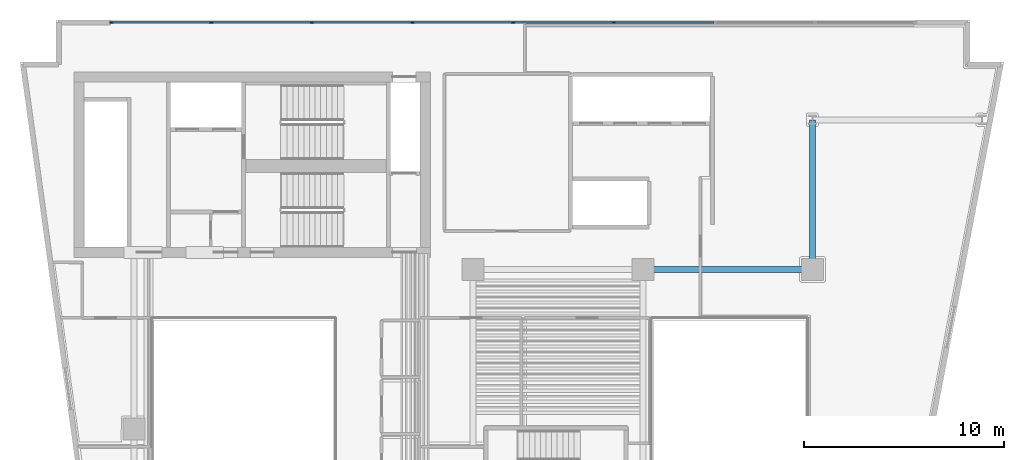
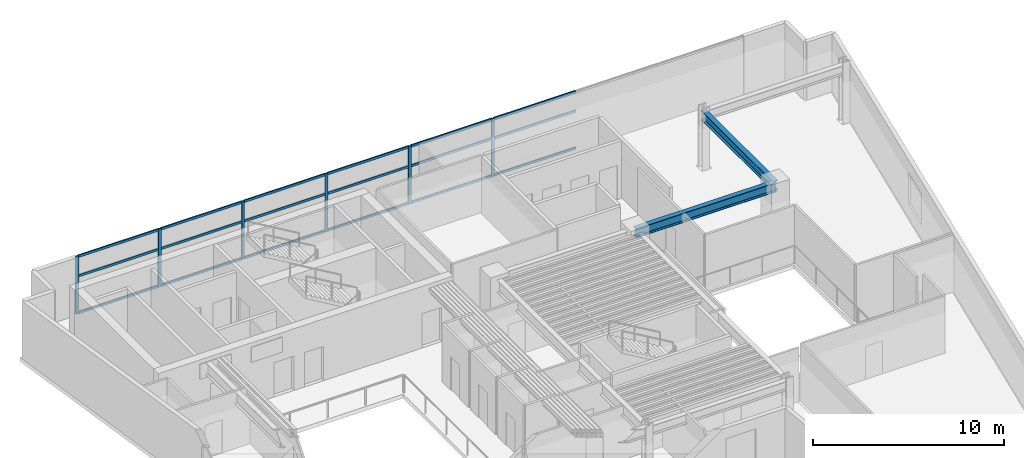
# One storey, part 3 of 12: 24 members, 2 beams, 1 element without a shape of its own.
"""IFC4 building model written with IfcOpenShell, lengths in metres."""

from ifc_helpers import new_model, si_unit, direction, frame, origin, origin_2d, place, context, subcontext, project, spatial, rectangle, i_section, extrude, material, layer, layer_set, material_profile, profile_set, type_object, element, aggregate, save


model = new_model("IFC4")

# Units and contexts
model_context = context("Model", 3, precision=1e-05, world=origin(), true_north=direction((0.0, 1.0)))
body_context = subcontext(model_context, "Body", "Model", "MODEL_VIEW")
ifc_project = project(units=[si_unit("LENGTHUNIT", "METRE"), si_unit("AREAUNIT", "SQUARE_METRE"), si_unit("VOLUMEUNIT", "CUBIC_METRE"), si_unit("PLANEANGLEUNIT", "RADIAN"), si_unit("MASSUNIT", "GRAM", prefix="KILO")], contexts=[model_context])

# Site, building, storey
site_placement = place(None, origin())
site = spatial("IfcSite", under=ifc_project, at=site_placement, CompositionType="ELEMENT")
building_placement = place(site_placement, origin())
building = spatial("IfcBuilding", under=site, at=building_placement, Name="Caeloran Harvest Quay", CompositionType="ELEMENT")
storey_placement = place(building_placement, frame((0.0, 0.0, 154.85009765625)))
storey = spatial("IfcBuildingStorey", under=building, at=storey_placement, Name="L36", CompositionType="ELEMENT", Elevation=154.85009765625)

# Beams
ifc_material_1 = material(Name="Steel S355J2", Category="steel")
ifc_material_profile_1 = material_profile(ifc_material_1, i_section(OverallWidth=0.300048828125, OverallDepth=0.60009765625, WebThickness=0.015380859375, FlangeThickness=0.030029296875, FilletRadius=0.027099609375, at=origin_2d()), Name="HE 600 B")
ifc_profile_set_1 = profile_set([ifc_material_profile_1], Name="Steel S355J2")
beam_type = type_object("IfcBeamType", Name="BM-PG-3-HE_600_B", PredefinedType="BEAM", material=ifc_profile_set_1)
beam_1_placement = place(storey_placement, frame((34.0, 31.0, 3.389892578125), z_axis=(1.0, 0.0, 0.0), x_axis=(0.0, 1.0, 0.0)))
element("IfcBeam", 1, at=beam_1_placement, inside=storey, type_object=beam_type, Name="L36 Primary East-West Girder Y=31.0", PredefinedType="BEAM", context=body_context, shape_type="SweptSolid", body=[
    extrude(i_section(OverallWidth=0.300048828125, OverallDepth=0.60009765625, WebThickness=0.015380859375, FlangeThickness=0.030029296875, FilletRadius=0.027099609375, at=origin_2d()), origin(), (0.0, 0.0, 1.0), 8.5),
])
beam_2_placement = place(storey_placement, frame((42.5, 31.0, 3.389892578125), z_axis=(0.0, 1.0, 0.0), x_axis=(-1.0, 0.0, 0.0)))
element("IfcBeam", 2, at=beam_2_placement, inside=storey, type_object=beam_type, Name="L36 Primary North-South Girder X=42.5", PredefinedType="BEAM", context=body_context, shape_type="SweptSolid", body=[
    extrude(i_section(OverallWidth=0.300048828125, OverallDepth=0.60009765625, WebThickness=0.015380859375, FlangeThickness=0.030029296875, FilletRadius=0.027099609375, at=origin_2d()), origin(), (0.0, 0.0, 1.0), 7.5),
])

# Curtain wall, members
ifc_material_2 = material(Name="Aluminium 6063-T6 and Low-E Glazing", Category="aluminium")
ifc_layer = layer(ifc_material_2, 0.22998046875, Name="Aluminium 6063-T6 and Low-E Glazing")
ifc_layer_set = layer_set([ifc_layer], Name="Aluminium 6063-T6 and Low-E Glazing")
curtain_wall_type = type_object("IfcCurtainWallType", Name="CW-SYS-CW-6", PredefinedType="USERDEFINED", material=ifc_layer_set)
curtain_wall_placement = place(storey_placement, origin())
curtain_wall = element("IfcCurtainWall", 3, at=curtain_wall_placement, inside=storey, type_object=curtain_wall_type, Name="L36 Unitised Curtain Wall CW-6 Run 6", ObjectType="CURTAIN_WALL", PredefinedType="USERDEFINED")
ifc_material_3 = material(Name="Aluminium 6063-T6", Category="aluminium")
ifc_material_profile_2 = material_profile(ifc_material_3, rectangle(XDim=0.080078125, YDim=0.179931640625, at=origin_2d()), Name="CW-MULLION-180")
ifc_profile_set_2 = profile_set([ifc_material_profile_2], Name="Aluminium 6063-T6")
member_type_1 = type_object("IfcMemberType", Name="CW-MULLION-180", PredefinedType="MULLION", material=ifc_profile_set_2)
member_1_placement = place(storey_placement, frame((7.3701171875, 43.3701171875, 0.0), z_axis=(0.0, 0.0, 1.0), x_axis=(0.0, 1.0, 0.0)))
member_1 = element("IfcMember", 4, at=member_1_placement, type_object=member_type_1, Name="CW-6 mullion 1", PredefinedType="MULLION", context=body_context, shape_type="SweptSolid", body=[
    extrude(rectangle(XDim=0.080078125, YDim=0.179931640625, at=origin_2d()), origin(), (0.0, 0.0, 1.0), 3.68994140625),
])
member_2_placement = place(storey_placement, frame((12.37255859375, 43.3701171875, 0.0), z_axis=(0.0, 0.0, 1.0), x_axis=(0.0, 1.0, 0.0)))
member_2 = element("IfcMember", 5, at=member_2_placement, type_object=member_type_1, Name="CW-6 mullion 2", PredefinedType="MULLION", context=body_context, shape_type="SweptSolid", body=[
    extrude(rectangle(XDim=0.080078125, YDim=0.179931640625, at=origin_2d()), origin(), (0.0, 0.0, 1.0), 3.68994140625),
])
member_3_placement = place(storey_placement, frame((17.4150390625, 43.3701171875, 0.0), z_axis=(0.0, 0.0, 1.0), x_axis=(0.0, 1.0, 0.0)))
member_3 = element("IfcMember", 6, at=member_3_placement, type_object=member_type_1, Name="CW-6 mullion 3", PredefinedType="MULLION", context=body_context, shape_type="SweptSolid", body=[
    extrude(rectangle(XDim=0.080078125, YDim=0.179931640625, at=origin_2d()), origin(), (0.0, 0.0, 1.0), 3.68994140625),
])
member_4_placement = place(storey_placement, frame((22.45751953125, 43.3701171875, 0.0), z_axis=(0.0, 0.0, 1.0), x_axis=(0.0, 1.0, 0.0)))
member_4 = element("IfcMember", 7, at=member_4_placement, type_object=member_type_1, Name="CW-6 mullion 4", PredefinedType="MULLION", context=body_context, shape_type="SweptSolid", body=[
    extrude(rectangle(XDim=0.080078125, YDim=0.179931640625, at=origin_2d()), origin(), (0.0, 0.0, 1.0), 3.68994140625),
])
member_5_placement = place(storey_placement, frame((27.5, 43.3701171875, 0.0), z_axis=(0.0, 0.0, 1.0), x_axis=(0.0, 1.0, 0.0)))
member_5 = element("IfcMember", 8, at=member_5_placement, type_object=member_type_1, Name="CW-6 mullion 5", PredefinedType="MULLION", context=body_context, shape_type="SweptSolid", body=[
    extrude(rectangle(XDim=0.080078125, YDim=0.179931640625, at=origin_2d()), origin(), (0.0, 0.0, 1.0), 3.68994140625),
])
member_6_placement = place(storey_placement, frame((32.54248046875, 43.3701171875, 0.0), z_axis=(0.0, 0.0, 1.0), x_axis=(0.0, 1.0, 0.0)))
member_6 = element("IfcMember", 9, at=member_6_placement, type_object=member_type_1, Name="CW-6 mullion 6", PredefinedType="MULLION", context=body_context, shape_type="SweptSolid", body=[
    extrude(rectangle(XDim=0.080078125, YDim=0.179931640625, at=origin_2d()), origin(), (0.0, 0.0, 1.0), 3.68994140625),
])
ifc_material_profile_3 = material_profile(ifc_material_3, rectangle(XDim=0.080078125, YDim=0.14990234375, at=origin_2d()), Name="CW-TRANSOM-150")
ifc_profile_set_3 = profile_set([ifc_material_profile_3], Name="Aluminium 6063-T6")
member_type_2 = type_object("IfcMemberType", Name="CW-TRANSOM-150", PredefinedType="USERDEFINED", material=ifc_profile_set_3)
member_7_placement = place(storey_placement, frame((7.409912109375, 43.3701171875, 0.039794921875), z_axis=(1.0, 0.0, 0.0), x_axis=(0.0, 1.0, 0.0)))
member_7 = element("IfcMember", 10, at=member_7_placement, type_object=member_type_2, Name="CW-6 transom 1.1", ObjectType="TRANSOM", PredefinedType="USERDEFINED", context=body_context, shape_type="SweptSolid", body=[
    extrude(rectangle(XDim=0.080078125, YDim=0.14990234375, at=origin_2d()), origin(), (0.0, 0.0, 1.0), 4.922607421875),
])
member_8_placement = place(storey_placement, frame((7.409912109375, 43.3701171875, 2.39990234375), z_axis=(1.0, 0.0, 0.0), x_axis=(0.0, 1.0, 0.0)))
member_8 = element("IfcMember", 11, at=member_8_placement, type_object=member_type_2, Name="CW-6 transom 1.2", ObjectType="TRANSOM", PredefinedType="USERDEFINED", context=body_context, shape_type="SweptSolid", body=[
    extrude(rectangle(XDim=0.080078125, YDim=0.14990234375, at=origin_2d()), origin(), (0.0, 0.0, 1.0), 4.922607421875),
])
member_9_placement = place(storey_placement, frame((7.409912109375, 43.3701171875, 3.64990234375), z_axis=(1.0, 0.0, 0.0), x_axis=(0.0, 1.0, 0.0)))
member_9 = element("IfcMember", 12, at=member_9_placement, type_object=member_type_2, Name="CW-6 transom 1.3", ObjectType="TRANSOM", PredefinedType="USERDEFINED", context=body_context, shape_type="SweptSolid", body=[
    extrude(rectangle(XDim=0.080078125, YDim=0.14990234375, at=origin_2d()), origin(), (0.0, 0.0, 1.0), 4.922607421875),
])
member_10_placement = place(storey_placement, frame((12.41259765625, 43.3701171875, 0.039794921875), z_axis=(1.0, 0.0, 0.0), x_axis=(0.0, 1.0, 0.0)))
member_10 = element("IfcMember", 13, at=member_10_placement, type_object=member_type_2, Name="CW-6 transom 2.1", ObjectType="TRANSOM", PredefinedType="USERDEFINED", context=body_context, shape_type="SweptSolid", body=[
    extrude(rectangle(XDim=0.080078125, YDim=0.14990234375, at=origin_2d()), origin(), (0.0, 0.0, 1.0), 4.96240234375),
])
member_11_placement = place(storey_placement, frame((12.41259765625, 43.3701171875, 2.39990234375), z_axis=(1.0, 0.0, 0.0), x_axis=(0.0, 1.0, 0.0)))
member_11 = element("IfcMember", 14, at=member_11_placement, type_object=member_type_2, Name="CW-6 transom 2.2", ObjectType="TRANSOM", PredefinedType="USERDEFINED", context=body_context, shape_type="SweptSolid", body=[
    extrude(rectangle(XDim=0.080078125, YDim=0.14990234375, at=origin_2d()), origin(), (0.0, 0.0, 1.0), 4.96240234375),
])
member_12_placement = place(storey_placement, frame((12.41259765625, 43.3701171875, 3.64990234375), z_axis=(1.0, 0.0, 0.0), x_axis=(0.0, 1.0, 0.0)))
member_12 = element("IfcMember", 15, at=member_12_placement, type_object=member_type_2, Name="CW-6 transom 2.3", ObjectType="TRANSOM", PredefinedType="USERDEFINED", context=body_context, shape_type="SweptSolid", body=[
    extrude(rectangle(XDim=0.080078125, YDim=0.14990234375, at=origin_2d()), origin(), (0.0, 0.0, 1.0), 4.96240234375),
])
member_13_placement = place(storey_placement, frame((17.455078125, 43.3701171875, 0.039794921875), z_axis=(1.0, 0.0, 0.0), x_axis=(0.0, 1.0, 0.0)))
member_13 = element("IfcMember", 16, at=member_13_placement, type_object=member_type_2, Name="CW-6 transom 3.1", ObjectType="TRANSOM", PredefinedType="USERDEFINED", context=body_context, shape_type="SweptSolid", body=[
    extrude(rectangle(XDim=0.080078125, YDim=0.14990234375, at=origin_2d()), origin(), (0.0, 0.0, 1.0), 4.96240234375),
])
member_14_placement = place(storey_placement, frame((17.455078125, 43.3701171875, 2.39990234375), z_axis=(1.0, 0.0, 0.0), x_axis=(0.0, 1.0, 0.0)))
member_14 = element("IfcMember", 17, at=member_14_placement, type_object=member_type_2, Name="CW-6 transom 3.2", ObjectType="TRANSOM", PredefinedType="USERDEFINED", context=body_context, shape_type="SweptSolid", body=[
    extrude(rectangle(XDim=0.080078125, YDim=0.14990234375, at=origin_2d()), origin(), (0.0, 0.0, 1.0), 4.96240234375),
])
member_15_placement = place(storey_placement, frame((17.455078125, 43.3701171875, 3.64990234375), z_axis=(1.0, 0.0, 0.0), x_axis=(0.0, 1.0, 0.0)))
member_15 = element("IfcMember", 18, at=member_15_placement, type_object=member_type_2, Name="CW-6 transom 3.3", ObjectType="TRANSOM", PredefinedType="USERDEFINED", context=body_context, shape_type="SweptSolid", body=[
    extrude(rectangle(XDim=0.080078125, YDim=0.14990234375, at=origin_2d()), origin(), (0.0, 0.0, 1.0), 4.96240234375),
])
member_16_placement = place(storey_placement, frame((22.49755859375, 43.3701171875, 0.039794921875), z_axis=(1.0, 0.0, 0.0), x_axis=(0.0, 1.0, 0.0)))
member_16 = element("IfcMember", 19, at=member_16_placement, type_object=member_type_2, Name="CW-6 transom 4.1", ObjectType="TRANSOM", PredefinedType="USERDEFINED", context=body_context, shape_type="SweptSolid", body=[
    extrude(rectangle(XDim=0.080078125, YDim=0.14990234375, at=origin_2d()), origin(), (0.0, 0.0, 1.0), 4.96240234375),
])
member_17_placement = place(storey_placement, frame((22.49755859375, 43.3701171875, 2.39990234375), z_axis=(1.0, 0.0, 0.0), x_axis=(0.0, 1.0, 0.0)))
member_17 = element("IfcMember", 20, at=member_17_placement, type_object=member_type_2, Name="CW-6 transom 4.2", ObjectType="TRANSOM", PredefinedType="USERDEFINED", context=body_context, shape_type="SweptSolid", body=[
    extrude(rectangle(XDim=0.080078125, YDim=0.14990234375, at=origin_2d()), origin(), (0.0, 0.0, 1.0), 4.96240234375),
])
member_18_placement = place(storey_placement, frame((22.49755859375, 43.3701171875, 3.64990234375), z_axis=(1.0, 0.0, 0.0), x_axis=(0.0, 1.0, 0.0)))
member_18 = element("IfcMember", 21, at=member_18_placement, type_object=member_type_2, Name="CW-6 transom 4.3", ObjectType="TRANSOM", PredefinedType="USERDEFINED", context=body_context, shape_type="SweptSolid", body=[
    extrude(rectangle(XDim=0.080078125, YDim=0.14990234375, at=origin_2d()), origin(), (0.0, 0.0, 1.0), 4.96240234375),
])
member_19_placement = place(storey_placement, frame((27.5400390625, 43.3701171875, 0.039794921875), z_axis=(1.0, 0.0, 0.0), x_axis=(0.0, 1.0, 0.0)))
member_19 = element("IfcMember", 22, at=member_19_placement, type_object=member_type_2, Name="CW-6 transom 5.1", ObjectType="TRANSOM", PredefinedType="USERDEFINED", context=body_context, shape_type="SweptSolid", body=[
    extrude(rectangle(XDim=0.080078125, YDim=0.14990234375, at=origin_2d()), origin(), (0.0, 0.0, 1.0), 4.96240234375),
])
member_20_placement = place(storey_placement, frame((27.5400390625, 43.3701171875, 2.39990234375), z_axis=(1.0, 0.0, 0.0), x_axis=(0.0, 1.0, 0.0)))
member_20 = element("IfcMember", 23, at=member_20_placement, type_object=member_type_2, Name="CW-6 transom 5.2", ObjectType="TRANSOM", PredefinedType="USERDEFINED", context=body_context, shape_type="SweptSolid", body=[
    extrude(rectangle(XDim=0.080078125, YDim=0.14990234375, at=origin_2d()), origin(), (0.0, 0.0, 1.0), 4.96240234375),
])
member_21_placement = place(storey_placement, frame((27.5400390625, 43.3701171875, 3.64990234375), z_axis=(1.0, 0.0, 0.0), x_axis=(0.0, 1.0, 0.0)))
member_21 = element("IfcMember", 24, at=member_21_placement, type_object=member_type_2, Name="CW-6 transom 5.3", ObjectType="TRANSOM", PredefinedType="USERDEFINED", context=body_context, shape_type="SweptSolid", body=[
    extrude(rectangle(XDim=0.080078125, YDim=0.14990234375, at=origin_2d()), origin(), (0.0, 0.0, 1.0), 4.96240234375),
])
member_22_placement = place(storey_placement, frame((32.58251953125, 43.3701171875, 0.039794921875), z_axis=(1.0, 0.0, 0.0), x_axis=(0.0, 1.0, 0.0)))
member_22 = element("IfcMember", 25, at=member_22_placement, type_object=member_type_2, Name="CW-6 transom 6.1", ObjectType="TRANSOM", PredefinedType="USERDEFINED", context=body_context, shape_type="SweptSolid", body=[
    extrude(rectangle(XDim=0.080078125, YDim=0.14990234375, at=origin_2d()), origin(), (0.0, 0.0, 1.0), 4.96240234375),
])
member_23_placement = place(storey_placement, frame((32.58251953125, 43.3701171875, 2.39990234375), z_axis=(1.0, 0.0, 0.0), x_axis=(0.0, 1.0, 0.0)))
member_23 = element("IfcMember", 26, at=member_23_placement, type_object=member_type_2, Name="CW-6 transom 6.2", ObjectType="TRANSOM", PredefinedType="USERDEFINED", context=body_context, shape_type="SweptSolid", body=[
    extrude(rectangle(XDim=0.080078125, YDim=0.14990234375, at=origin_2d()), origin(), (0.0, 0.0, 1.0), 4.96240234375),
])
member_24_placement = place(storey_placement, frame((32.58251953125, 43.3701171875, 3.64990234375), z_axis=(1.0, 0.0, 0.0), x_axis=(0.0, 1.0, 0.0)))
member_24 = element("IfcMember", 27, at=member_24_placement, type_object=member_type_2, Name="CW-6 transom 6.3", ObjectType="TRANSOM", PredefinedType="USERDEFINED", context=body_context, shape_type="SweptSolid", body=[
    extrude(rectangle(XDim=0.080078125, YDim=0.14990234375, at=origin_2d()), origin(), (0.0, 0.0, 1.0), 4.96240234375),
])
aggregate(curtain_wall, [member_1, member_2, member_3, member_4, member_5, member_6, member_7, member_8, member_9, member_10, member_11, member_12, member_13, member_14, member_15, member_16, member_17, member_18, member_19, member_20, member_21, member_22, member_23, member_24])

save(model, "model.ifc")
